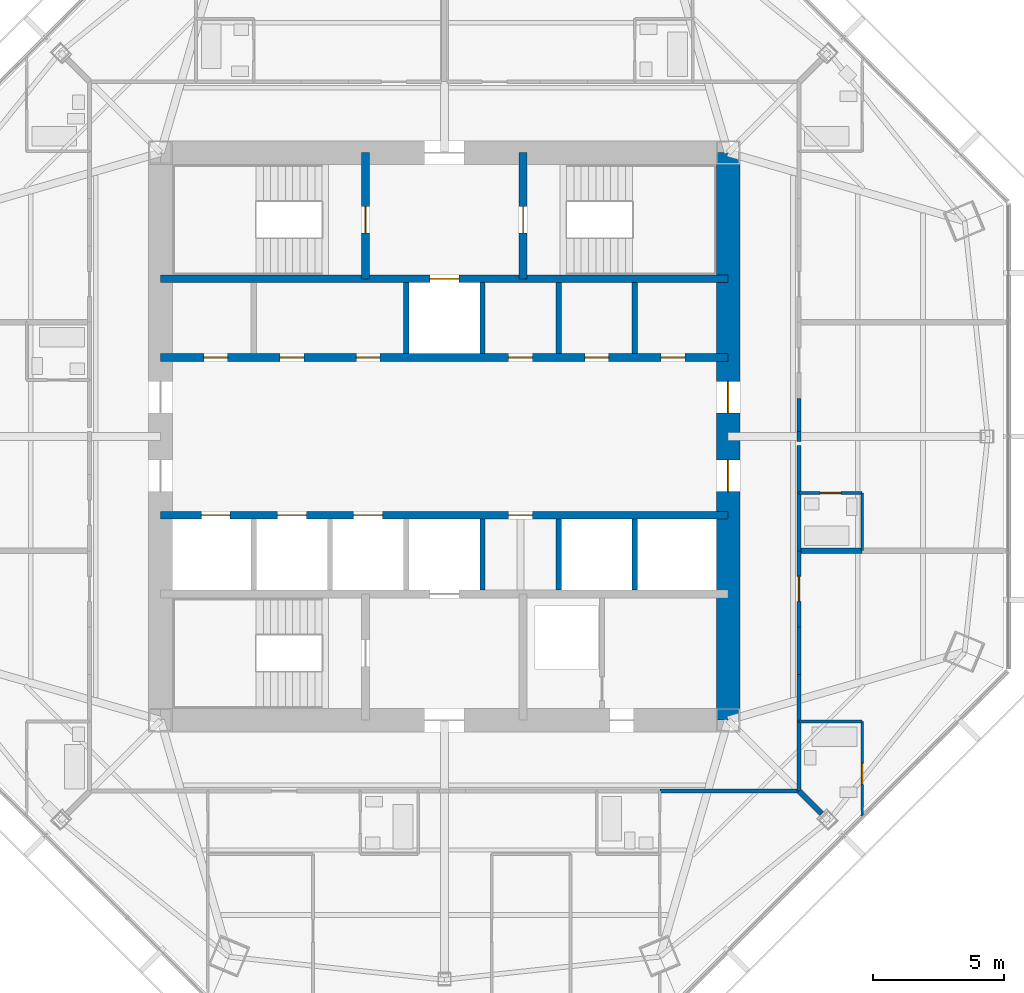
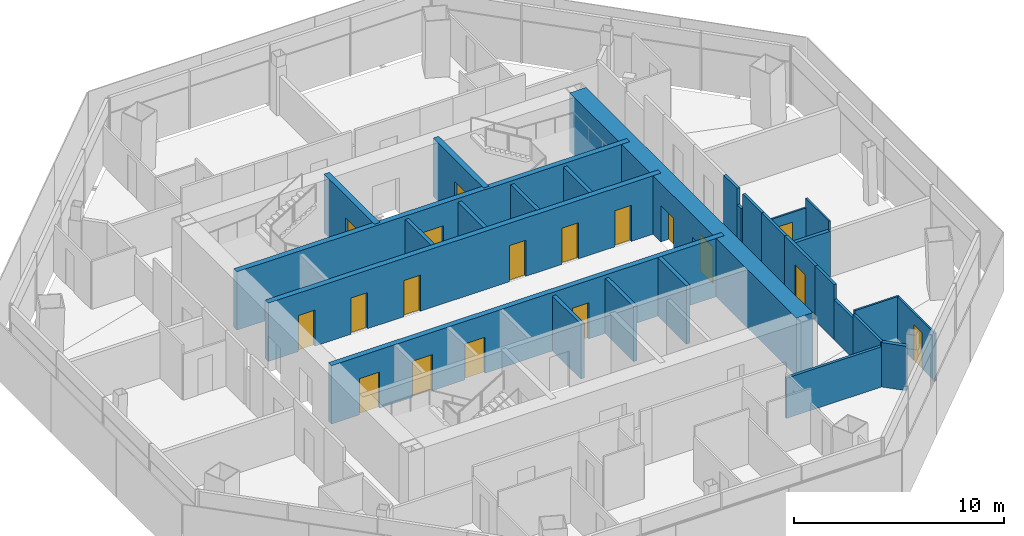
# One storey, part 10 of 15: 28 walls, 18 doors, 18 openings.
"""IFC4 building model written with IfcOpenShell, lengths in metres."""

from ifc_helpers import new_model, si_unit, direction, frame, frame_2d, origin, place, context, subcontext, project, spatial, rectangle, extrude, material, layer, layer_set, type_object, element, fill, save


model = new_model("IFC4")

# Units and contexts
model_context = context("Model", 3, precision=1e-05, world=origin(), true_north=direction((0.0, 1.0)))
body_context = subcontext(model_context, "Body", "Model", "MODEL_VIEW")
ifc_project = project(units=[si_unit("LENGTHUNIT", "METRE"), si_unit("AREAUNIT", "SQUARE_METRE"), si_unit("VOLUMEUNIT", "CUBIC_METRE"), si_unit("PLANEANGLEUNIT", "RADIAN"), si_unit("MASSUNIT", "GRAM", prefix="KILO")], contexts=[model_context])

# Site, building, storey
site_placement = place(None, origin())
site = spatial("IfcSite", under=ifc_project, at=site_placement, CompositionType="ELEMENT")
building_placement = place(site_placement, origin())
building = spatial("IfcBuilding", under=site, at=building_placement, Name="Mashrafa Tower", CompositionType="ELEMENT")
storey_placement = place(building_placement, frame((0.0, 0.0, 231.199951171875)))
storey = spatial("IfcBuildingStorey", under=building, at=storey_placement, Name="L54", CompositionType="ELEMENT", Elevation=231.199951171875)

# Walls
ifc_material_1 = material(Name="Gypsum board on steel studs", Category="steel")
ifc_layer_1 = layer(ifc_material_1, 0.199951171875)
ifc_layer_set_1 = layer_set([ifc_layer_1], Name="Acoustic partition 200 1 hr")
wall_type_1 = type_object("IfcWallType", Name="Acoustic partition 200 1 hr", PredefinedType="PARTITIONING", material=ifc_layer_set_1)
wall_1_placement = place(storey_placement, frame((13.5, -13.5, 0.0), z_axis=(0.0, 0.0, 1.0), x_axis=(0.707106781187, -0.707106781187, 0.0)))
element("IfcWall", 1, at=wall_1_placement, inside=storey, type_object=wall_type_1, Name="Acoustic wall L54-048", PredefinedType="PARTITIONING", context=body_context, shape_type="SweptSolid", body=[
    extrude(rectangle(XDim=1.217041015625, YDim=0.199951171875, at=frame_2d((0.6083984375, 0.0))), origin(), (0.0, 0.0, 1.0), 2.5830078125),
])
wall_2_placement = place(storey_placement, frame((15.90087890625, -4.35009765625, 0.0), z_axis=(0.0, 0.0, 1.0), x_axis=(-1.0, 0.0, 0.0)))
element("IfcWall", 2, at=wall_2_placement, inside=storey, type_object=wall_type_1, Name="Acoustic wall L54-049", PredefinedType="PARTITIONING", context=body_context, shape_type="SweptSolid", body=[
    extrude(rectangle(XDim=2.40087890625, YDim=0.199951171875, at=frame_2d((1.200439453125, 0.0))), origin(), (0.0, 0.0, 1.0), 2.664306640625),
])

# Wall, openings, doors
ifc_material_2 = material(Name="Concrete C50/60", Category="concrete")
ifc_layer_2 = layer(ifc_material_2, 0.300048828125)
ifc_layer_set_2 = layer_set([ifc_layer_2], Name="Core wall 300 C50/60")
wall_type_2 = type_object("IfcWallType", Name="Core wall 300 C50/60", PredefinedType="SOLIDWALL", material=ifc_layer_set_2)
wall_3_placement = place(storey_placement, frame((-10.800048828125, 3.0, 0.0), z_axis=(0.0, 0.0, 1.0), x_axis=(1.0, 0.0, 0.0)))
wall_3 = element("IfcWall", 3, at=wall_3_placement, inside=storey, type_object=wall_type_2, Name="Core wall CH-N L54", PredefinedType="SOLIDWALL", context=body_context, shape_type="SweptSolid", body=[
    extrude(rectangle(XDim=21.60009765625, YDim=0.300048828125, at=frame_2d((10.800048828125, 0.0))), origin(), (0.0, 0.0, 1.0), 3.400146484375),
])
opening_1_placement = place(wall_3_placement, frame((1.64990234375, 0.0, 0.0)))
opening_1 = element("IfcOpeningElement", 4, at=opening_1_placement, cuts=wall_3, Name="Opening 54.037", PredefinedType="OPENING", context=body_context, shape_type="SweptSolid", body=[
    extrude(rectangle(XDim=0.89990234375, YDim=2.10009765625, at=frame_2d((0.449951171875, 1.050048828125))), frame((0.0, 0.159912109375, 0.0), z_axis=(0.0, -1.0, 0.0), x_axis=(1.0, 0.0, 0.0)), (0.0, 0.0, 1.0), 0.320068359375),
])
opening_2_placement = place(wall_3_placement, frame((4.550048828125, 0.0, 0.0)))
opening_2 = element("IfcOpeningElement", 5, at=opening_2_placement, cuts=wall_3, Name="Opening 54.038", PredefinedType="OPENING", context=body_context, shape_type="SweptSolid", body=[
    extrude(rectangle(XDim=0.89990234375, YDim=2.10009765625, at=frame_2d((0.449951171875, 1.050048828125))), frame((0.0, 0.159912109375, 0.0), z_axis=(0.0, -1.0, 0.0), x_axis=(1.0, 0.0, 0.0)), (0.0, 0.0, 1.0), 0.320068359375),
])
opening_3_placement = place(wall_3_placement, frame((7.449951171875, 0.0, 0.0)))
opening_3 = element("IfcOpeningElement", 6, at=opening_3_placement, cuts=wall_3, Name="Opening 54.039", PredefinedType="OPENING", context=body_context, shape_type="SweptSolid", body=[
    extrude(rectangle(XDim=0.89990234375, YDim=2.10009765625, at=frame_2d((0.449951171875, 1.050048828125))), frame((0.0, 0.159912109375, 0.0), z_axis=(0.0, -1.0, 0.0), x_axis=(1.0, 0.0, 0.0)), (0.0, 0.0, 1.0), 0.320068359375),
])
opening_4_placement = place(wall_3_placement, frame((13.25, 0.0, 0.0)))
opening_4 = element("IfcOpeningElement", 7, at=opening_4_placement, cuts=wall_3, Name="Opening 54.040", PredefinedType="OPENING", context=body_context, shape_type="SweptSolid", body=[
    extrude(rectangle(XDim=0.89990234375, YDim=2.10009765625, at=frame_2d((0.449951171875, 1.050048828125))), frame((0.0, 0.159912109375, 0.0), z_axis=(0.0, -1.0, 0.0), x_axis=(1.0, 0.0, 0.0)), (0.0, 0.0, 1.0), 0.320068359375),
])
opening_5_placement = place(wall_3_placement, frame((16.14990234375, 0.0, 0.0)))
opening_5 = element("IfcOpeningElement", 8, at=opening_5_placement, cuts=wall_3, Name="Opening 54.042", PredefinedType="OPENING", context=body_context, shape_type="SweptSolid", body=[
    extrude(rectangle(XDim=0.89990234375, YDim=2.10009765625, at=frame_2d((0.449951171875, 1.050048828125))), frame((0.0, 0.159912109375, 0.0), z_axis=(0.0, -1.0, 0.0), x_axis=(1.0, 0.0, 0.0)), (0.0, 0.0, 1.0), 0.320068359375),
])
opening_6_placement = place(wall_3_placement, frame((19.050048828125, 0.0, 0.0)))
opening_6 = element("IfcOpeningElement", 9, at=opening_6_placement, cuts=wall_3, Name="Opening 54.043", PredefinedType="OPENING", context=body_context, shape_type="SweptSolid", body=[
    extrude(rectangle(XDim=0.89990234375, YDim=2.10009765625, at=frame_2d((0.449951171875, 1.050048828125))), frame((0.0, 0.159912109375, 0.0), z_axis=(0.0, -1.0, 0.0), x_axis=(1.0, 0.0, 0.0)), (0.0, 0.0, 1.0), 0.320068359375),
])
ifc_material_3 = material(Name="Timber door", Category="wood")
door_type_1 = type_object("IfcDoorType", Name="Store door 900 x 2100", OperationType="USERDEFINED", PredefinedType="DOOR", material=ifc_material_3)
door_1_placement = place(opening_1_placement, origin())
door_1 = element("IfcDoor", 10, at=door_1_placement, inside=storey, type_object=door_type_1, Name="Refuse Chute Room L54 door", OperationType="SINGLE_SWING_RIGHT", OverallHeight=2.10009765625, OverallWidth=0.89990234375, PredefinedType="DOOR", context=body_context, shape_type="SweptSolid", body=[
    extrude(rectangle(XDim=0.89990234375, YDim=2.10009765625, at=frame_2d((0.449951171875, 1.050048828125))), frame((0.0, 0.02490234375, 0.0), z_axis=(0.0, -1.0, 0.0), x_axis=(1.0, 0.0, 0.0)), (0.0, 0.0, 1.0), 0.050048828125),
])
fill(opening_1, door_1)
door_2_placement = place(opening_2_placement, origin())
door_2 = element("IfcDoor", 11, at=door_2_placement, inside=storey, type_object=door_type_1, Name="Housekeeping and Linen Room L54 door", OperationType="SINGLE_SWING_LEFT", OverallHeight=2.10009765625, OverallWidth=0.89990234375, PredefinedType="DOOR", context=body_context, shape_type="SweptSolid", body=[
    extrude(rectangle(XDim=0.89990234375, YDim=2.10009765625, at=frame_2d((0.449951171875, 1.050048828125))), frame((0.0, 0.02490234375, 0.0), z_axis=(0.0, -1.0, 0.0), x_axis=(1.0, 0.0, 0.0)), (0.0, 0.0, 1.0), 0.050048828125),
])
fill(opening_2, door_2)
door_3_placement = place(opening_3_placement, origin())
door_3 = element("IfcDoor", 12, at=door_3_placement, inside=storey, type_object=door_type_1, Name="Housekeeping and Linen Room L54 door", OperationType="SINGLE_SWING_RIGHT", OverallHeight=2.10009765625, OverallWidth=0.89990234375, PredefinedType="DOOR", context=body_context, shape_type="SweptSolid", body=[
    extrude(rectangle(XDim=0.89990234375, YDim=2.10009765625, at=frame_2d((0.449951171875, 1.050048828125))), frame((0.0, 0.02490234375, 0.0), z_axis=(0.0, -1.0, 0.0), x_axis=(1.0, 0.0, 0.0)), (0.0, 0.0, 1.0), 0.050048828125),
])
fill(opening_3, door_3)
door_4_placement = place(opening_4_placement, origin())
door_4 = element("IfcDoor", 13, at=door_4_placement, inside=storey, type_object=door_type_1, Name="Cleaner's Store L54 door", OperationType="SINGLE_SWING_LEFT", OverallHeight=2.10009765625, OverallWidth=0.89990234375, PredefinedType="DOOR", context=body_context, shape_type="SweptSolid", body=[
    extrude(rectangle(XDim=0.89990234375, YDim=2.10009765625, at=frame_2d((0.449951171875, 1.050048828125))), frame((0.0, 0.02490234375, 0.0), z_axis=(0.0, -1.0, 0.0), x_axis=(1.0, 0.0, 0.0)), (0.0, 0.0, 1.0), 0.050048828125),
])
fill(opening_4, door_4)
door_5_placement = place(opening_5_placement, origin())
door_5 = element("IfcDoor", 14, at=door_5_placement, inside=storey, type_object=door_type_1, Name="Residents' Store L54-K1 door", OperationType="SINGLE_SWING_LEFT", OverallHeight=2.10009765625, OverallWidth=0.89990234375, PredefinedType="DOOR", context=body_context, shape_type="SweptSolid", body=[
    extrude(rectangle(XDim=0.89990234375, YDim=2.10009765625, at=frame_2d((0.449951171875, 1.050048828125))), frame((0.0, 0.02490234375, 0.0), z_axis=(0.0, -1.0, 0.0), x_axis=(1.0, 0.0, 0.0)), (0.0, 0.0, 1.0), 0.050048828125),
])
fill(opening_5, door_5)
door_6_placement = place(opening_6_placement, origin())
door_6 = element("IfcDoor", 15, at=door_6_placement, inside=storey, type_object=door_type_1, Name="Residents' Store L54-K2 door", OperationType="SINGLE_SWING_LEFT", OverallHeight=2.10009765625, OverallWidth=0.89990234375, PredefinedType="DOOR", context=body_context, shape_type="SweptSolid", body=[
    extrude(rectangle(XDim=0.89990234375, YDim=2.10009765625, at=frame_2d((0.449951171875, 1.050048828125))), frame((0.0, 0.02490234375, 0.0), z_axis=(0.0, -1.0, 0.0), x_axis=(1.0, 0.0, 0.0)), (0.0, 0.0, 1.0), 0.050048828125),
])
fill(opening_6, door_6)

# Wall, opening, door
wall_4_placement = place(storey_placement, frame((-10.800048828125, 6.0, 0.0), z_axis=(0.0, 0.0, 1.0), x_axis=(1.0, 0.0, 0.0)))
wall_4 = element("IfcWall", 16, at=wall_4_placement, inside=storey, type_object=wall_type_2, Name="Core wall CB-N L54", PredefinedType="SOLIDWALL", context=body_context, shape_type="SweptSolid", body=[
    extrude(rectangle(XDim=21.60009765625, YDim=0.300048828125, at=frame_2d((10.800048828125, 0.0))), origin(), (0.0, 0.0, 1.0), 3.400146484375),
])
opening_7_placement = place(wall_4_placement, frame((10.25, 0.0, 0.0)))
opening_7 = element("IfcOpeningElement", 17, at=opening_7_placement, cuts=wall_4, Name="Opening 54.F1", PredefinedType="OPENING", context=body_context, shape_type="SweptSolid", body=[
    extrude(rectangle(XDim=1.10009765625, YDim=2.10009765625, at=frame_2d((0.550048828125, 1.050048828125))), frame((0.0, 0.159912109375, 0.0), z_axis=(0.0, -1.0, 0.0), x_axis=(1.0, 0.0, 0.0)), (0.0, 0.0, 1.0), 0.320068359375),
])
ifc_material_4 = material(Name="Steel door", Category="steel")
door_type_2 = type_object("IfcDoorType", Name="Lift landing door 1100 x 2100 90 min", OperationType="DOUBLE_DOOR_SLIDING", PredefinedType="DOOR", material=ifc_material_4)
door_7_placement = place(opening_7_placement, origin())
door_7 = element("IfcDoor", 18, at=door_7_placement, inside=storey, type_object=door_type_2, Name="Lift landing door F1 L54", OperationType="DOUBLE_DOOR_SLIDING", OverallHeight=2.10009765625, OverallWidth=1.10009765625, PredefinedType="DOOR", context=body_context, shape_type="SweptSolid", body=[
    extrude(rectangle(XDim=1.10009765625, YDim=2.10009765625, at=frame_2d((0.550048828125, 1.050048828125))), frame((0.0, 0.02490234375, 0.0), z_axis=(0.0, -1.0, 0.0), x_axis=(1.0, 0.0, 0.0)), (0.0, 0.0, 1.0), 0.050048828125),
])
fill(opening_7, door_7)

wall_5_placement = place(storey_placement, frame((-3.0, 6.0, 0.0), z_axis=(0.0, 0.0, 1.0), x_axis=(0.0, 1.0, 0.0)))
wall_5 = element("IfcWall", 19, at=wall_5_placement, inside=storey, type_object=wall_type_2, Name="Core wall CX-NW L54", PredefinedType="SOLIDWALL", context=body_context, shape_type="SweptSolid", body=[
    extrude(rectangle(XDim=4.800048828125, YDim=0.300048828125, at=frame_2d((2.39990234375, 0.0))), origin(), (0.0, 0.0, 1.0), 3.400146484375),
])
opening_8_placement = place(wall_5_placement, frame((1.75, 0.0, 0.0)))
opening_8 = element("IfcOpeningElement", 20, at=opening_8_placement, cuts=wall_5, Name="Opening 54.032", PredefinedType="OPENING", context=body_context, shape_type="SweptSolid", body=[
    extrude(rectangle(XDim=1.0, YDim=2.10009765625, at=frame_2d((0.5, 1.050048828125))), frame((0.0, 0.159912109375, 0.0), z_axis=(0.0, -1.0, 0.0), x_axis=(1.0, 0.0, 0.0)), (0.0, 0.0, 1.0), 0.320068359375),
])
ifc_material_5 = material(Name="Steel door", Category="steel")
door_type_3 = type_object("IfcDoorType", Name="Stair door 1000 x 2100 90 min", OperationType="USERDEFINED", PredefinedType="DOOR", material=ifc_material_5)
door_8_placement = place(opening_8_placement, origin())
door_8 = element("IfcDoor", 21, at=door_8_placement, inside=storey, type_object=door_type_3, Name="Stair S1 door L54", OperationType="SINGLE_SWING_LEFT", OverallHeight=2.10009765625, OverallWidth=1.0, PredefinedType="DOOR", context=body_context, shape_type="SweptSolid", body=[
    extrude(rectangle(XDim=1.0, YDim=2.10009765625, at=frame_2d((0.5, 1.050048828125))), frame((0.0, 0.02490234375, 0.0), z_axis=(0.0, -1.0, 0.0), x_axis=(1.0, 0.0, 0.0)), (0.0, 0.0, 1.0), 0.050048828125),
])
fill(opening_8, door_8)

wall_6_placement = place(storey_placement, frame((3.0, 6.0, 0.0), z_axis=(0.0, 0.0, 1.0), x_axis=(0.0, 1.0, 0.0)))
wall_6 = element("IfcWall", 22, at=wall_6_placement, inside=storey, type_object=wall_type_2, Name="Core wall CX-NE L54", PredefinedType="SOLIDWALL", context=body_context, shape_type="SweptSolid", body=[
    extrude(rectangle(XDim=4.800048828125, YDim=0.300048828125, at=frame_2d((2.39990234375, 0.0))), origin(), (0.0, 0.0, 1.0), 3.400146484375),
])
opening_9_placement = place(wall_6_placement, frame((1.75, 0.0, 0.0)))
opening_9 = element("IfcOpeningElement", 23, at=opening_9_placement, cuts=wall_6, Name="Opening 54.033", PredefinedType="OPENING", context=body_context, shape_type="SweptSolid", body=[
    extrude(rectangle(XDim=1.0, YDim=2.10009765625, at=frame_2d((0.5, 1.050048828125))), frame((0.0, 0.159912109375, 0.0), z_axis=(0.0, -1.0, 0.0), x_axis=(1.0, 0.0, 0.0)), (0.0, 0.0, 1.0), 0.320068359375),
])
door_9_placement = place(opening_9_placement, frame((1.0, 0.0, 0.0), z_axis=(0.0, 0.0, 1.0), x_axis=(-1.0, 0.0, 0.0)))
door_9 = element("IfcDoor", 24, at=door_9_placement, inside=storey, type_object=door_type_3, Name="Stair S2 door L54", OperationType="SINGLE_SWING_RIGHT", OverallHeight=2.10009765625, OverallWidth=1.0, PredefinedType="DOOR", context=body_context, shape_type="SweptSolid", body=[
    extrude(rectangle(XDim=1.0, YDim=2.10009765625, at=frame_2d((0.5, 1.050048828125))), frame((0.0, 0.02490234375, 0.0), z_axis=(0.0, -1.0, 0.0), x_axis=(1.0, 0.0, 0.0)), (0.0, 0.0, 1.0), 0.050048828125),
])
fill(opening_9, door_9)

# Wall, openings, doors
wall_7_placement = place(storey_placement, frame((-10.800048828125, -3.0, 0.0), z_axis=(0.0, 0.0, 1.0), x_axis=(1.0, 0.0, 0.0)))
wall_7 = element("IfcWall", 25, at=wall_7_placement, inside=storey, type_object=wall_type_2, Name="Core wall CH-S L54", PredefinedType="SOLIDWALL", context=body_context, shape_type="SweptSolid", body=[
    extrude(rectangle(XDim=21.60009765625, YDim=0.300048828125, at=frame_2d((10.800048828125, 0.0))), origin(), (0.0, 0.0, 1.0), 3.400146484375),
])
opening_10_placement = place(wall_7_placement, frame((13.25, 0.0, 0.0)))
opening_10 = element("IfcOpeningElement", 26, at=opening_10_placement, cuts=wall_7, Name="Opening 54.041", PredefinedType="OPENING", context=body_context, shape_type="SweptSolid", body=[
    extrude(rectangle(XDim=0.89990234375, YDim=2.10009765625, at=frame_2d((0.449951171875, 1.050048828125))), frame((0.0, 0.159912109375, 0.0), z_axis=(0.0, -1.0, 0.0), x_axis=(1.0, 0.0, 0.0)), (0.0, 0.0, 1.0), 0.320068359375),
])
opening_11_placement = place(wall_7_placement, frame((1.550048828125, 0.0, 0.0)))
opening_11 = element("IfcOpeningElement", 27, at=opening_11_placement, cuts=wall_7, Name="Opening 54.AL1", PredefinedType="OPENING", context=body_context, shape_type="SweptSolid", body=[
    extrude(rectangle(XDim=1.10009765625, YDim=2.10009765625, at=frame_2d((0.550048828125, 1.050048828125))), frame((0.0, 0.159912109375, 0.0), z_axis=(0.0, -1.0, 0.0), x_axis=(1.0, 0.0, 0.0)), (0.0, 0.0, 1.0), 0.320068359375),
])
opening_12_placement = place(wall_7_placement, frame((4.449951171875, 0.0, 0.0)))
opening_12 = element("IfcOpeningElement", 28, at=opening_12_placement, cuts=wall_7, Name="Opening 54.AL2", PredefinedType="OPENING", context=body_context, shape_type="SweptSolid", body=[
    extrude(rectangle(XDim=1.10009765625, YDim=2.10009765625, at=frame_2d((0.550048828125, 1.050048828125))), frame((0.0, 0.159912109375, 0.0), z_axis=(0.0, -1.0, 0.0), x_axis=(1.0, 0.0, 0.0)), (0.0, 0.0, 1.0), 0.320068359375),
])
opening_13_placement = place(wall_7_placement, frame((7.35009765625, 0.0, 0.0)))
opening_13 = element("IfcOpeningElement", 29, at=opening_13_placement, cuts=wall_7, Name="Opening 54.AL3", PredefinedType="OPENING", context=body_context, shape_type="SweptSolid", body=[
    extrude(rectangle(XDim=1.10009765625, YDim=2.10009765625, at=frame_2d((0.550048828125, 1.050048828125))), frame((0.0, 0.159912109375, 0.0), z_axis=(0.0, -1.0, 0.0), x_axis=(1.0, 0.0, 0.0)), (0.0, 0.0, 1.0), 0.320068359375),
])
door_10_placement = place(opening_11_placement, origin())
door_10 = element("IfcDoor", 30, at=door_10_placement, inside=storey, type_object=door_type_2, Name="Lift landing door AL1 L54", OperationType="DOUBLE_DOOR_SLIDING", OverallHeight=2.10009765625, OverallWidth=1.10009765625, PredefinedType="DOOR", context=body_context, shape_type="SweptSolid", body=[
    extrude(rectangle(XDim=1.10009765625, YDim=2.10009765625, at=frame_2d((0.550048828125, 1.050048828125))), frame((0.0, 0.02490234375, 0.0), z_axis=(0.0, -1.0, 0.0), x_axis=(1.0, 0.0, 0.0)), (0.0, 0.0, 1.0), 0.050048828125),
])
fill(opening_11, door_10)
door_11_placement = place(opening_12_placement, origin())
door_11 = element("IfcDoor", 31, at=door_11_placement, inside=storey, type_object=door_type_2, Name="Lift landing door AL2 L54", OperationType="DOUBLE_DOOR_SLIDING", OverallHeight=2.10009765625, OverallWidth=1.10009765625, PredefinedType="DOOR", context=body_context, shape_type="SweptSolid", body=[
    extrude(rectangle(XDim=1.10009765625, YDim=2.10009765625, at=frame_2d((0.550048828125, 1.050048828125))), frame((0.0, 0.02490234375, 0.0), z_axis=(0.0, -1.0, 0.0), x_axis=(1.0, 0.0, 0.0)), (0.0, 0.0, 1.0), 0.050048828125),
])
fill(opening_12, door_11)
door_12_placement = place(opening_13_placement, origin())
door_12 = element("IfcDoor", 32, at=door_12_placement, inside=storey, type_object=door_type_2, Name="Lift landing door AL3 L54", OperationType="DOUBLE_DOOR_SLIDING", OverallHeight=2.10009765625, OverallWidth=1.10009765625, PredefinedType="DOOR", context=body_context, shape_type="SweptSolid", body=[
    extrude(rectangle(XDim=1.10009765625, YDim=2.10009765625, at=frame_2d((0.550048828125, 1.050048828125))), frame((0.0, 0.02490234375, 0.0), z_axis=(0.0, -1.0, 0.0), x_axis=(1.0, 0.0, 0.0)), (0.0, 0.0, 1.0), 0.050048828125),
])
fill(opening_13, door_12)
door_13_placement = place(opening_10_placement, frame((0.89990234375, 0.0, 0.0), z_axis=(0.0, 0.0, 1.0), x_axis=(-1.0, 0.0, 0.0)))
door_13 = element("IfcDoor", 33, at=door_13_placement, inside=storey, type_object=door_type_1, Name="Communications Room L54 door", OperationType="SINGLE_SWING_RIGHT", OverallHeight=2.10009765625, OverallWidth=0.89990234375, PredefinedType="DOOR", context=body_context, shape_type="SweptSolid", body=[
    extrude(rectangle(XDim=0.89990234375, YDim=2.10009765625, at=frame_2d((0.449951171875, 1.050048828125))), frame((0.0, 0.02490234375, 0.0), z_axis=(0.0, -1.0, 0.0), x_axis=(1.0, 0.0, 0.0)), (0.0, 0.0, 1.0), 0.050048828125),
])
fill(opening_10, door_13)

ifc_material_6 = material(Name="Concrete C50/60", Category="concrete")
ifc_layer_3 = layer(ifc_material_6, 0.89990234375)
ifc_layer_set_3 = layer_set([ifc_layer_3], Name="Core wall 900 C50/60")
wall_type_3 = type_object("IfcWallType", Name="Core wall 900 C50/60", PredefinedType="SOLIDWALL", material=ifc_layer_set_3)
wall_8_placement = place(storey_placement, frame((10.800048828125, -10.800048828125, 0.0), z_axis=(0.0, 0.0, 1.0), x_axis=(0.0, 1.0, 0.0)))
wall_8 = element("IfcWall", 34, at=wall_8_placement, inside=storey, type_object=wall_type_3, Name="Core wall CW-E L54", PredefinedType="SOLIDWALL", context=body_context, shape_type="SweptSolid", body=[
    extrude(rectangle(XDim=21.60009765625, YDim=0.89990234375, at=frame_2d((10.800048828125, 0.0))), origin(), (0.0, 0.0, 1.0), 3.400146484375),
])
opening_14_placement = place(wall_8_placement, frame((11.699951171875, 0.0, 0.0)))
opening_14 = element("IfcOpeningElement", 35, at=opening_14_placement, cuts=wall_8, Name="Opening 54.026", PredefinedType="OPENING", context=body_context, shape_type="SweptSolid", body=[
    extrude(rectangle(XDim=1.199951171875, YDim=2.10009765625, at=frame_2d((0.60009765625, 1.050048828125))), frame((0.0, 0.4599609375, 0.0), z_axis=(0.0, -1.0, 0.0), x_axis=(1.0, 0.0, 0.0)), (0.0, 0.0, 1.0), 0.919921875),
])
opening_15_placement = place(wall_8_placement, frame((8.699951171875, 0.0, 0.0)))
opening_15 = element("IfcOpeningElement", 36, at=opening_15_placement, cuts=wall_8, Name="Opening 54.028", PredefinedType="OPENING", context=body_context, shape_type="SweptSolid", body=[
    extrude(rectangle(XDim=1.199951171875, YDim=2.10009765625, at=frame_2d((0.60009765625, 1.050048828125))), frame((0.0, 0.4599609375, 0.0), z_axis=(0.0, -1.0, 0.0), x_axis=(1.0, 0.0, 0.0)), (0.0, 0.0, 1.0), 0.919921875),
])
ifc_material_7 = material(Name="Steel door", Category="steel")
door_type_4 = type_object("IfcDoorType", Name="Lift hall door 1200 x 2100 90 min", OperationType="USERDEFINED", PredefinedType="DOOR", material=ifc_material_7)
door_14_placement = place(opening_14_placement, frame((1.199951171875, 0.0, 0.0), z_axis=(0.0, 0.0, 1.0), x_axis=(-1.0, 0.0, 0.0)))
door_14 = element("IfcDoor", 37, at=door_14_placement, inside=storey, type_object=door_type_4, Name="Lift hall door east L54", OperationType="SINGLE_SWING_LEFT", OverallHeight=2.10009765625, OverallWidth=1.199951171875, PredefinedType="DOOR", context=body_context, shape_type="SweptSolid", body=[
    extrude(rectangle(XDim=1.199951171875, YDim=2.10009765625, at=frame_2d((0.60009765625, 1.050048828125))), frame((0.0, 0.02490234375, 0.0), z_axis=(0.0, -1.0, 0.0), x_axis=(1.0, 0.0, 0.0)), (0.0, 0.0, 1.0), 0.050048828125),
])
fill(opening_14, door_14)
door_15_placement = place(opening_15_placement, frame((1.199951171875, 0.0, 0.0), z_axis=(0.0, 0.0, 1.0), x_axis=(-1.0, 0.0, 0.0)))
door_15 = element("IfcDoor", 38, at=door_15_placement, inside=storey, type_object=door_type_4, Name="Lift hall door east L54", OperationType="SINGLE_SWING_RIGHT", OverallHeight=2.10009765625, OverallWidth=1.199951171875, PredefinedType="DOOR", context=body_context, shape_type="SweptSolid", body=[
    extrude(rectangle(XDim=1.199951171875, YDim=2.10009765625, at=frame_2d((0.60009765625, 1.050048828125))), frame((0.0, 0.02490234375, 0.0), z_axis=(0.0, -1.0, 0.0), x_axis=(1.0, 0.0, 0.0)), (0.0, 0.0, 1.0), 0.050048828125),
])
fill(opening_15, door_15)

# Walls
ifc_material_8 = material(Name="Gypsum board on steel studs", Category="steel")
ifc_layer_4 = layer(ifc_material_8, 0.14990234375)
ifc_layer_set_4 = layer_set([ifc_layer_4], Name="Corridor partition 150 1 hr")
wall_type_4 = type_object("IfcWallType", Name="Corridor partition 150 1 hr", PredefinedType="PARTITIONING", material=ifc_layer_set_4)
wall_9_placement = place(storey_placement, frame((13.5, -13.5, 0.0), z_axis=(0.0, 0.0, 1.0), x_axis=(0.0, 1.0, 0.0)))
element("IfcWall", 39, at=wall_9_placement, inside=storey, type_object=wall_type_4, Name="Corridor wall L54-001", PredefinedType="PARTITIONING", context=body_context, shape_type="SweptSolid", body=[
    extrude(rectangle(XDim=2.65087890625, YDim=0.14990234375, at=frame_2d((1.325439453125, 0.0))), origin(), (0.0, 0.0, 1.0), 2.5830078125),
])
wall_10_placement = place(storey_placement, frame((13.5, -9.051025390625, 0.0), z_axis=(0.0, 0.0, 1.0), x_axis=(0.0, 1.0, 0.0)))
element("IfcWall", 40, at=wall_10_placement, inside=storey, type_object=wall_type_4, Name="Corridor wall L54-002", PredefinedType="PARTITIONING", context=body_context, shape_type="SweptSolid", body=[
    extrude(rectangle(XDim=1.802001953125, YDim=0.14990234375, at=frame_2d((0.90087890625, 0.0))), origin(), (0.0, 0.0, 1.0), 3.199951171875),
])
wall_11_placement = place(storey_placement, frame((13.5, -10.85107421875, 0.0), z_axis=(0.0, 0.0, 1.0), x_axis=(0.0, 1.0, 0.0)))
element("IfcWall", 41, at=wall_11_placement, inside=storey, type_object=wall_type_4, Name="Corridor wall L54-003", PredefinedType="PARTITIONING", context=body_context, shape_type="SweptSolid", body=[
    extrude(rectangle(XDim=1.802001953125, YDim=0.14990234375, at=frame_2d((0.90087890625, 0.0))), origin(), (0.0, 0.0, 1.0), 2.34423828125),
])

# Wall, opening, door
wall_12_placement = place(storey_placement, frame((13.5, -7.2509765625, 0.0), z_axis=(0.0, 0.0, 1.0), x_axis=(0.0, 1.0, 0.0)))
wall_12 = element("IfcWall", 42, at=wall_12_placement, inside=storey, type_object=wall_type_4, Name="Corridor wall L54-004", PredefinedType="PARTITIONING", context=body_context, shape_type="SweptSolid", body=[
    extrude(rectangle(XDim=2.90185546875, YDim=0.14990234375, at=frame_2d((1.450927734375, 0.0))), origin(), (0.0, 0.0, 1.0), 3.199951171875),
])
opening_16_placement = place(wall_12_placement, frame((0.97607421875, 0.0, 0.0)))
opening_16 = element("IfcOpeningElement", 43, at=opening_16_placement, cuts=wall_12, Name="Opening 54.002", PredefinedType="OPENING", context=body_context, shape_type="SweptSolid", body=[
    extrude(rectangle(XDim=0.949951171875, YDim=2.10009765625, at=frame_2d((0.47509765625, 1.050048828125))), frame((0.0, 0.0849609375, 0.0), z_axis=(0.0, -1.0, 0.0), x_axis=(1.0, 0.0, 0.0)), (0.0, 0.0, 1.0), 0.169921875),
])
ifc_material_9 = material(Name="Steel door", Category="steel")
door_type_5 = type_object("IfcDoorType", Name="Residence entrance door 950 x 2100 20 min", OperationType="USERDEFINED", PredefinedType="DOOR", material=ifc_material_9)
door_16_placement = place(opening_16_placement, frame((0.949951171875, 0.0, 0.0), z_axis=(0.0, 0.0, 1.0), x_axis=(-1.0, 0.0, 0.0)))
door_16 = element("IfcDoor", 44, at=door_16_placement, inside=storey, type_object=door_type_5, Name="Apartment 5401 Studio Living Room door", OperationType="SINGLE_SWING_LEFT", OverallHeight=2.10009765625, OverallWidth=0.949951171875, PredefinedType="DOOR", context=body_context, shape_type="SweptSolid", body=[
    extrude(rectangle(XDim=0.949951171875, YDim=2.10009765625, at=frame_2d((0.47509765625, 1.050048828125))), frame((0.0, 0.02490234375, 0.0), z_axis=(0.0, -1.0, 0.0), x_axis=(1.0, 0.0, 0.0)), (0.0, 0.0, 1.0), 0.050048828125),
])
fill(opening_16, door_16)

# Walls
wall_13_placement = place(storey_placement, frame((13.5, -4.35107421875, 0.0), z_axis=(0.0, 0.0, 1.0), x_axis=(0.0, 1.0, 0.0)))
element("IfcWall", 45, at=wall_13_placement, inside=storey, type_object=wall_type_4, Name="Corridor wall L54-005", PredefinedType="PARTITIONING", context=body_context, shape_type="SweptSolid", body=[
    extrude(rectangle(XDim=2.2021484375, YDim=0.14990234375, at=frame_2d((1.10107421875, 0.0))), origin(), (0.0, 0.0, 1.0), 3.199951171875),
])
wall_14_placement = place(storey_placement, frame((13.5, 0.18359375, 0.0), z_axis=(0.0, 0.0, 1.0), x_axis=(0.0, 1.0, 0.0)))
element("IfcWall", 46, at=wall_14_placement, inside=storey, type_object=wall_type_4, Name="Corridor wall L54-006", PredefinedType="PARTITIONING", context=body_context, shape_type="SweptSolid", body=[
    extrude(rectangle(XDim=1.267333984375, YDim=0.14990234375, at=frame_2d((0.6337890625, 0.0))), origin(), (0.0, 0.0, 1.0), 3.199951171875),
])
wall_15_placement = place(storey_placement, frame((13.5, -0.18359375, 0.0), z_axis=(0.0, 0.0, 1.0), x_axis=(0.0, 1.0, 0.0)))
element("IfcWall", 47, at=wall_15_placement, inside=storey, type_object=wall_type_4, Name="Corridor wall L54-007", PredefinedType="PARTITIONING", context=body_context, shape_type="SweptSolid", body=[
    extrude(rectangle(XDim=0.3671875, YDim=0.14990234375, at=frame_2d((0.18359375, 0.0))), origin(), (0.0, 0.0, 1.0), 2.2529296875),
])
wall_16_placement = place(storey_placement, frame((13.5, -2.15087890625, 0.0), z_axis=(0.0, 0.0, 1.0), x_axis=(0.0, 1.0, 0.0)))
element("IfcWall", 48, at=wall_16_placement, inside=storey, type_object=wall_type_4, Name="Corridor wall L54-008", PredefinedType="PARTITIONING", context=body_context, shape_type="SweptSolid", body=[
    extrude(rectangle(XDim=1.8017578125, YDim=0.14990234375, at=frame_2d((0.90087890625, 0.0))), origin(), (0.0, 0.0, 1.0), 3.199951171875),
])
wall_17_placement = place(storey_placement, frame((8.198974609375, -13.5, 0.0), z_axis=(0.0, 0.0, 1.0), x_axis=(1.0, 0.0, 0.0)))
element("IfcWall", 49, at=wall_17_placement, inside=storey, type_object=wall_type_4, Name="Corridor wall L54-043", PredefinedType="PARTITIONING", context=body_context, shape_type="SweptSolid", body=[
    extrude(rectangle(XDim=5.301025390625, YDim=0.14990234375, at=frame_2d((2.650390625, 0.0))), origin(), (0.0, 0.0, 1.0), 2.34423828125),
])

# Wall, opening, door
ifc_material_10 = material(Name="Gypsum board on steel studs", Category="steel")
ifc_layer_5 = layer(ifc_material_10, 0.10009765625)
ifc_layer_set_5 = layer_set([ifc_layer_5], Name="Partition 100")
wall_type_5 = type_object("IfcWallType", Name="Partition 100", PredefinedType="PARTITIONING", material=ifc_layer_set_5)
wall_18_placement = place(storey_placement, frame((15.89990234375, -14.447509765625, 0.0), z_axis=(0.0, 0.0, 1.0), x_axis=(0.0, 1.0, 0.0)))
wall_18 = element("IfcWall", 50, at=wall_18_placement, inside=storey, type_object=wall_type_5, Name="Partition wall L54-046", PredefinedType="PARTITIONING", context=body_context, shape_type="SweptSolid", body=[
    extrude(rectangle(XDim=3.597412109375, YDim=0.10009765625, at=frame_2d((1.798828125, 0.0))), origin(), (0.0, 0.0, 1.0), 2.78369140625),
])
opening_17_placement = place(wall_18_placement, frame((1.201904296875, 0.0, 0.0)))
opening_17 = element("IfcOpeningElement", 51, at=opening_17_placement, cuts=wall_18, Name="Opening 54.001", PredefinedType="OPENING", context=body_context, shape_type="SweptSolid", body=[
    extrude(rectangle(XDim=0.800048828125, YDim=2.10009765625, at=frame_2d((0.39990234375, 1.050048828125))), frame((0.0, 0.06005859375, 0.0), z_axis=(0.0, -1.0, 0.0), x_axis=(1.0, 0.0, 0.0)), (0.0, 0.0, 1.0), 0.1201171875),
])
ifc_material_11 = material(Name="Timber door", Category="wood")
door_type_6 = type_object("IfcDoorType", Name="Bathroom door 800 x 2100", OperationType="USERDEFINED", PredefinedType="DOOR", material=ifc_material_11)
door_17_placement = place(opening_17_placement, origin())
door_17 = element("IfcDoor", 52, at=door_17_placement, inside=storey, type_object=door_type_6, Name="Apartment 5401 Bathroom door", OperationType="SINGLE_SWING_LEFT", OverallHeight=2.10009765625, OverallWidth=0.800048828125, PredefinedType="DOOR", context=body_context, shape_type="SweptSolid", body=[
    extrude(rectangle(XDim=0.800048828125, YDim=2.10009765625, at=frame_2d((0.39990234375, 1.050048828125))), frame((0.0, 0.02490234375, 0.0), z_axis=(0.0, -1.0, 0.0), x_axis=(1.0, 0.0, 0.0)), (0.0, 0.0, 1.0), 0.050048828125),
])
fill(opening_17, door_17)

# Walls
wall_19_placement = place(storey_placement, frame((15.89990234375, -10.85009765625, 0.0), z_axis=(0.0, 0.0, 1.0), x_axis=(-1.0, 0.0, 0.0)))
element("IfcWall", 53, at=wall_19_placement, inside=storey, type_object=wall_type_5, Name="Partition wall L54-047", PredefinedType="PARTITIONING", context=body_context, shape_type="SweptSolid", body=[
    extrude(rectangle(XDim=2.39990234375, YDim=0.10009765625, at=frame_2d((1.199951171875, 0.0))), origin(), (0.0, 0.0, 1.0), 2.7861328125),
])
wall_20_placement = place(storey_placement, frame((15.89990234375, -4.35009765625, 0.0), z_axis=(0.0, 0.0, 1.0), x_axis=(0.0, 1.0, 0.0)))
element("IfcWall", 54, at=wall_20_placement, inside=storey, type_object=wall_type_5, Name="Partition wall L54-051", PredefinedType="PARTITIONING", context=body_context, shape_type="SweptSolid", body=[
    extrude(rectangle(XDim=2.2001953125, YDim=0.10009765625, at=frame_2d((1.10009765625, 0.0))), origin(), (0.0, 0.0, 1.0), 3.199951171875),
])

# Wall, opening, door
wall_21_placement = place(storey_placement, frame((15.89990234375, -2.14990234375, 0.0), z_axis=(0.0, 0.0, 1.0), x_axis=(-1.0, 0.0, 0.0)))
wall_21 = element("IfcWall", 55, at=wall_21_placement, inside=storey, type_object=wall_type_5, Name="Partition wall L54-052", PredefinedType="PARTITIONING", context=body_context, shape_type="SweptSolid", body=[
    extrude(rectangle(XDim=2.39990234375, YDim=0.10009765625, at=frame_2d((1.199951171875, 0.0))), origin(), (0.0, 0.0, 1.0), 2.664306640625),
])
opening_18_placement = place(wall_21_placement, frame((0.800048828125, 0.0, 0.0)))
opening_18 = element("IfcOpeningElement", 56, at=opening_18_placement, cuts=wall_21, Name="Opening 54.003", PredefinedType="OPENING", context=body_context, shape_type="SweptSolid", body=[
    extrude(rectangle(XDim=0.800048828125, YDim=2.10009765625, at=frame_2d((0.39990234375, 1.050048828125))), frame((0.0, 0.06005859375, 0.0), z_axis=(0.0, -1.0, 0.0), x_axis=(1.0, 0.0, 0.0)), (0.0, 0.0, 1.0), 0.1201171875),
])
door_18_placement = place(opening_18_placement, origin())
door_18 = element("IfcDoor", 57, at=door_18_placement, inside=storey, type_object=door_type_6, Name="Apartment 5402 Bathroom door", OperationType="SINGLE_SWING_LEFT", OverallHeight=2.10009765625, OverallWidth=0.800048828125, PredefinedType="DOOR", context=body_context, shape_type="SweptSolid", body=[
    extrude(rectangle(XDim=0.800048828125, YDim=2.10009765625, at=frame_2d((0.39990234375, 1.050048828125))), frame((0.0, 0.02490234375, 0.0), z_axis=(0.0, -1.0, 0.0), x_axis=(1.0, 0.0, 0.0)), (0.0, 0.0, 1.0), 0.050048828125),
])
fill(opening_18, door_18)

# Walls
ifc_material_12 = material(Name="Gypsum shaft wall on steel studs", Category="steel")
ifc_layer_6 = layer(ifc_material_12, 0.199951171875)
ifc_layer_set_6 = layer_set([ifc_layer_6], Name="Shaft divider wall 200 2 hr")
wall_type_6 = type_object("IfcWallType", Name="Shaft divider wall 200 2 hr", PredefinedType="PARTITIONING", material=ifc_layer_set_6)
for number, where, z_axis, x_axis, name in (
    (58, (-1.449951171875, 3.14990234375, 0.0), (0.0, 0.0, 1.0), (0.0, 1.0, 0.0), "Shaft divider wall N3 L54"),
    (59, (1.449951171875, 3.14990234375, 0.0), (0.0, 0.0, 1.0), (0.0, 1.0, 0.0), "Shaft divider wall N4 L54"),
    (60, (4.35009765625, 3.14990234375, 0.0), (0.0, 0.0, 1.0), (0.0, 1.0, 0.0), "Shaft divider wall N5 L54"),
    (61, (7.25, 3.14990234375, 0.0), (0.0, 0.0, 1.0), (0.0, 1.0, 0.0), "Shaft divider wall N6 L54"),
    (62, (1.449951171875, -5.85009765625, 0.0), (0.0, 0.0, 1.0), (0.0, 1.0, 0.0), "Shaft divider wall S4 L54"),
    (63, (4.35009765625, -5.85009765625, 0.0), (0.0, 0.0, 1.0), (0.0, 1.0, 0.0), "Shaft divider wall S5 L54"),
):
    element("IfcWall", number, at=place(storey_placement, frame(where, z_axis=z_axis, x_axis=x_axis)), inside=storey, type_object=wall_type_6, Name=name, PredefinedType="PARTITIONING", context=body_context, shape_type="SweptSolid", body=[
        extrude(rectangle(XDim=2.7001953125, YDim=0.199951171875, at=frame_2d((1.35009765625, 0.0))), origin(), (0.0, 0.0, 1.0), 3.199951171875),
    ])
wall_22_placement = place(storey_placement, frame((7.25, -5.85009765625, 0.0), z_axis=(0.0, 0.0, 1.0), x_axis=(0.0, 1.0, 0.0)))
element("IfcWall", 64, at=wall_22_placement, inside=storey, type_object=wall_type_6, Name="Shaft divider wall S6 L54", PredefinedType="PARTITIONING", context=body_context, shape_type="SweptSolid", body=[
    extrude(rectangle(XDim=2.7001953125, YDim=0.199951171875, at=frame_2d((1.35009765625, 0.0))), origin(), (0.0, 0.0, 1.0), 3.400146484375),
])

save(model, "model.ifc")
